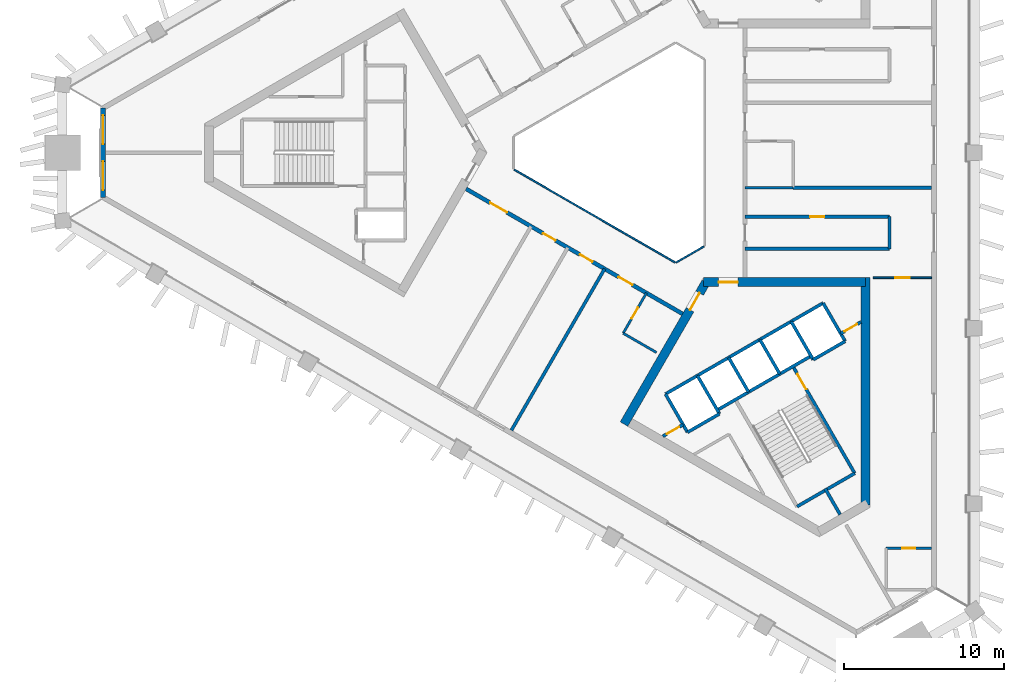
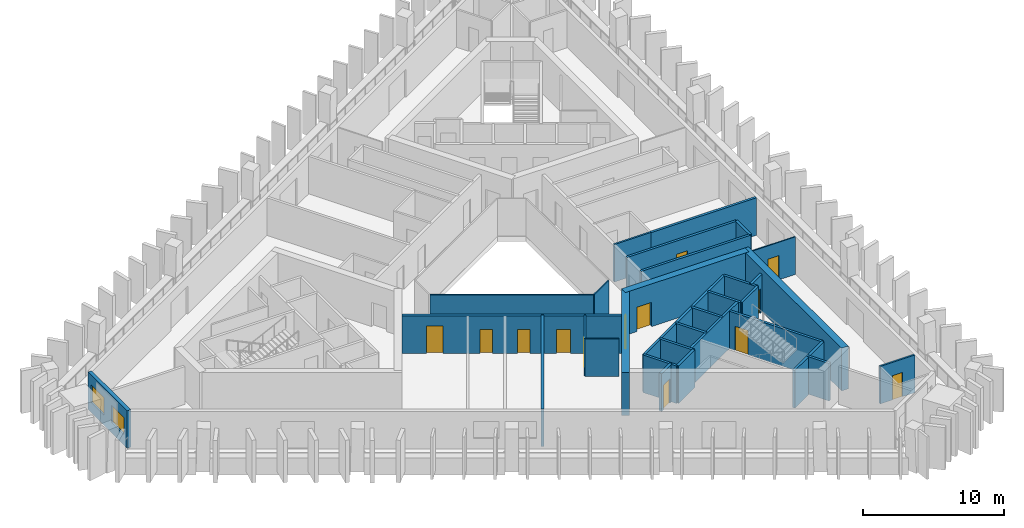
# One storey, part 3 of 10: 32 walls, 13 doors, 2 windows, 15 openings.
"""IFC4 building model written with IfcOpenShell, lengths in metres."""

import ifcopenshell
import ifcopenshell.guid

model = None  # the IFC model being written
_history = None  # IfcOwnerHistory: only IFC2X3 demands one
_inside = {}  # id of a spatial element -> (the spatial element, [elements in it])
_under = {}  # id of a project, library or spatial element -> (it, [spatial elements below it])
_declared = {}  # id of a project -> (the project, [libraries it declares])
_typed = {}  # id of a type object -> (the type object, [elements of that type])
_made_of = {}  # id of a material, layer set ... -> (it, [elements and type objects made of it])


def new_model(schema):
    """Start an empty IFC model of exactly this schema.

    Asked for "IFC4X3", IfcOpenShell would pick the latest addendum, in which some entities
    have other attributes; the version numbers below select the first issue.
    IFC2X3 requires an IfcOwnerHistory on every rooted entity: one is made here for all.
    """
    global model, _history
    if schema == "IFC4X3":
        model = ifcopenshell.file(schema_version=(4, 3, 0, 0))
    else:
        model = ifcopenshell.file(schema=schema)
    _inside.clear()
    _under.clear()
    _declared.clear()
    _typed.clear()
    _made_of.clear()
    _history = None
    if model.schema == "IFC2X3":
        org = make("IfcOrganization", Name="unknown")
        user = make(
            "IfcPersonAndOrganization",
            ThePerson=make("IfcPerson", FamilyName="unknown"),
            TheOrganization=org,
        )
        app = make(
            "IfcApplication",
            ApplicationDeveloper=org,
            Version="unknown",
            ApplicationFullName="unknown",
            ApplicationIdentifier="unknown",
        )
        _history = make(
            "IfcOwnerHistory",
            OwningUser=user,
            OwningApplication=app,
            ChangeAction="ADDED",
            CreationDate=0,
        )
    return model


def make(cls, **values):
    """One entity of the class cls with the attributes given. An attribute that is None is left unset."""
    return model.create_entity(
        cls, **{name: value for name, value in values.items() if value is not None}
    )


def rooted(cls, **values):
    """An entity with a GlobalId (a new one), such as an element, a storey or a relation."""
    return make(cls, GlobalId=ifcopenshell.guid.new(), OwnerHistory=_history, **values)


def si_unit(unit_type, name, prefix=None):
    """IfcSIUnit, for example si_unit("LENGTHUNIT", "METRE", prefix="MILLI")."""
    return make("IfcSIUnit", UnitType=unit_type, Prefix=prefix, Name=name)


def assignment(units):
    """IfcUnitAssignment: the units of a project."""
    return None if units is None else make("IfcUnitAssignment", Units=units)


def point(xyz):
    """IfcCartesianPoint."""
    return None if xyz is None else make("IfcCartesianPoint", Coordinates=xyz)


def direction(xyz):
    """IfcDirection."""
    return None if xyz is None else make("IfcDirection", DirectionRatios=xyz)


def frame(location, z_axis=None, x_axis=None):
    """IfcAxis2Placement3D, a coordinate frame: its origin and axes. An axis left out is left unset."""
    return make(
        "IfcAxis2Placement3D",
        Location=point(location),
        Axis=direction(z_axis),
        RefDirection=direction(x_axis),
    )


def frame_2d(location, x_axis=None):
    """IfcAxis2Placement2D, a coordinate frame in the plane: its origin and x axis."""
    return make(
        "IfcAxis2Placement2D", Location=point(location), RefDirection=direction(x_axis)
    )


def origin():
    """The frame at (0, 0, 0) with its axes left unset."""
    return frame((0.0, 0.0, 0.0))


def place(relative_to, where):
    """IfcLocalPlacement: puts the frame where relative to a parent placement (None: the world)."""
    return make(
        "IfcLocalPlacement", PlacementRelTo=relative_to, RelativePlacement=where
    )


def context(
    kind, dimensions, precision=None, world=None, true_north=None, identifier=None
):
    """IfcGeometricRepresentationContext, for example the 3D "Model" context."""
    return make(
        "IfcGeometricRepresentationContext",
        ContextIdentifier=identifier,
        ContextType=kind,
        CoordinateSpaceDimension=dimensions,
        Precision=precision,
        WorldCoordinateSystem=world,
        TrueNorth=true_north,
    )


def subcontext(parent, identifier, kind, view, scale=None):
    """IfcGeometricRepresentationSubContext, for example "Body" below "Model"."""
    return make(
        "IfcGeometricRepresentationSubContext",
        ContextIdentifier=identifier,
        ContextType=kind,
        ParentContext=parent,
        TargetScale=scale,
        TargetView=view,
    )


def project(units=None, contexts=None):
    """IfcProject with its units and contexts."""
    return rooted(
        "IfcProject",
        Name="project",
        RepresentationContexts=contexts,
        UnitsInContext=assignment(units),
    )


def spatial(cls, under=None, at=None, **own):
    """A site, building, storey or space (cls), placed at a placement, below another one or the project."""
    s = rooted(cls, ObjectPlacement=at, **own)
    if under is not None:
        _under.setdefault(under.id(), (under, []))[1].append(s)
    return s


def profile(cls, at=None, kind="AREA", **sizes):
    """A parametric profile (cls). Its sizes go by their IFC names, for example OverallWidth=200.0."""
    return make(cls, ProfileType=kind, Position=at, **sizes)


def rectangle(**sizes):
    """IfcRectangleProfileDef."""
    return profile("IfcRectangleProfileDef", **sizes)


def extrude(swept, where, along, depth):
    """IfcExtrudedAreaSolid: the profile swept, set in the frame where, extruded along a direction by depth."""
    return make(
        "IfcExtrudedAreaSolid",
        SweptArea=swept,
        Position=where,
        ExtrudedDirection=direction(along),
        Depth=depth,
    )


def shape(context_of_items, identifier, shape_type, items):
    """IfcShapeRepresentation: the items that make up one representation, for example the "Body"."""
    return make(
        "IfcShapeRepresentation",
        ContextOfItems=context_of_items,
        RepresentationIdentifier=identifier,
        RepresentationType=shape_type,
        Items=items,
    )


def material(Name=None, Category=None):
    """IfcMaterial."""
    return make("IfcMaterial", Name=Name, Category=Category)


def layer(
    of_material, thickness, ventilated=None, Name=None, Category=None, Priority=None
):
    """IfcMaterialLayer: one layer of a wall or slab, of a material (None: an air gap)."""
    return make(
        "IfcMaterialLayer",
        Material=of_material,
        LayerThickness=thickness,
        IsVentilated=ventilated,
        Name=Name,
        Category=Category,
        Priority=Priority,
    )


def layer_set(layers, Name=None):
    """IfcMaterialLayerSet."""
    return make("IfcMaterialLayerSet", MaterialLayers=layers, LayerSetName=Name)


def made_of(thing, what):
    """Note that an element or type object is made of a material, layer set ...; save() writes the relation."""
    if what is not None:
        _made_of.setdefault(what.id(), (what, []))[1].append(thing)
    return thing


def type_object(cls, material=None, **own):
    """A type object (cls), such as IfcWallType, which elements share."""
    return made_of(rooted(cls, **own), material)


def element(
    cls,
    number,
    at=None,
    inside=None,
    cuts=None,
    type_object=None,
    material=None,
    context=None,
    identifier="Body",
    shape_type=None,
    held_by="IfcProductDefinitionShape",
    body=None,
    shapes=None,
    **own,
):
    """One element of the class cls, such as IfcWall. Its Tag is "e" and its number.

    at: its placement. inside: the storey or other place that contains it. cuts: it is an
    opening in that element (IfcRelVoidsElement). A single representation is given by context,
    identifier, shape_type and body (its items); several are given by shapes. held_by: the class
    of the entity that holds the representations. save() writes the other relations.
    """
    e = rooted(cls, Tag="e%d" % number, ObjectPlacement=at, **own)
    if body is not None:
        shapes = [shape(context, identifier, shape_type, body)]
    if shapes is not None:
        e.Representation = make(held_by, Representations=shapes)
    if inside is not None:
        _inside.setdefault(inside.id(), (inside, []))[1].append(e)
    if cuts is not None:
        rooted(
            "IfcRelVoidsElement", RelatingBuildingElement=cuts, RelatedOpeningElement=e
        )
    if type_object is not None:
        _typed.setdefault(type_object.id(), (type_object, []))[1].append(e)
    return made_of(e, material)


def fill(opening, filler):
    """IfcRelFillsElement: the door or window that sits in an opening."""
    return rooted(
        "IfcRelFillsElement",
        RelatingOpeningElement=opening,
        RelatedBuildingElement=filler,
    )


def aggregate(whole, parts):
    """IfcRelAggregates: a whole, such as a stair, and the parts it consists of."""
    return rooted("IfcRelAggregates", RelatingObject=whole, RelatedObjects=parts)


def save(model, path):
    """Write the relations noted so far, then the file.

    IfcRelAggregates (storeys below a building ...), IfcRelContainedInSpatialStructure (elements
    in a storey), IfcRelDefinesByType, IfcRelAssociatesMaterial and IfcRelDeclares: one each for
    every whole, place, type object, material and project.
    """
    for whole, parts in _under.values():
        aggregate(whole, parts)
    for where, things in _inside.values():
        rooted(
            "IfcRelContainedInSpatialStructure",
            RelatedElements=things,
            RelatingStructure=where,
        )
    for kind, things in _typed.values():
        rooted("IfcRelDefinesByType", RelatedObjects=things, RelatingType=kind)
    for what, things in _made_of.values():
        rooted("IfcRelAssociatesMaterial", RelatedObjects=things, RelatingMaterial=what)
    for by, libraries in _declared.values():
        rooted("IfcRelDeclares", RelatingContext=by, RelatedDefinitions=libraries)
    model.write(path)


model = new_model("IFC4")

# Units and contexts
model_context = context("Model", 3, precision=1e-05, world=origin(), true_north=direction((0.0, 1.0)))
body_context = subcontext(model_context, "Body", "Model", "MODEL_VIEW")
ifc_project = project(units=[si_unit("LENGTHUNIT", "METRE"), si_unit("AREAUNIT", "SQUARE_METRE"), si_unit("VOLUMEUNIT", "CUBIC_METRE"), si_unit("PLANEANGLEUNIT", "RADIAN"), si_unit("MASSUNIT", "GRAM", prefix="KILO")], contexts=[model_context])

# Site, building, storey
site_placement = place(None, origin())
site = spatial("IfcSite", under=ifc_project, at=site_placement, CompositionType="ELEMENT")
building_placement = place(site_placement, origin())
building = spatial("IfcBuilding", under=site, at=building_placement, Name="Jabali Bay Hotel Tower and Convention Centre", CompositionType="ELEMENT")
storey_placement = place(building_placement, frame((0.0, 0.0, 160.0)))
storey = spatial("IfcBuildingStorey", under=building, at=storey_placement, Name="L38", CompositionType="ELEMENT", Elevation=160.0)

# Walls
ifc_material_1 = material(Name="Fire-resistant glazing", Category="glass")
ifc_layer_1 = layer(ifc_material_1, 0.10009765625)
ifc_layer_set_1 = layer_set([ifc_layer_1], Name="Fire-resistant glazing")
wall_type_1 = type_object("IfcWallType", Name="Atrium glazed screen 100", PredefinedType="PARTITIONING", material=ifc_layer_set_1)
wall_1_placement = place(storey_placement, frame((67.7021484375, 78.947998046875, 0.0), z_axis=(0.0, 0.0, 1.0), x_axis=(0.866026658274, -0.499997827154, 0.0)))
element("IfcWall", 1, at=wall_1_placement, inside=storey, type_object=wall_type_1, Name="Atrium screen 5 L38", PredefinedType="PARTITIONING", context=body_context, shape_type="SweptSolid", body=[
    extrude(rectangle(XDim=11.58837890625, YDim=0.10009765625, at=frame_2d((5.794189453125, 0.0))), origin(), (0.0, 0.0, 1.0), 3.25),
])
wall_2_placement = place(storey_placement, frame((77.7978515625, 73.15380859375, 0.0), z_axis=(0.0, 0.0, 1.0), x_axis=(0.866041268327, 0.499972520799, 0.0)))
element("IfcWall", 2, at=wall_2_placement, inside=storey, type_object=wall_type_1, Name="Atrium screen 6 L38", PredefinedType="PARTITIONING", context=body_context, shape_type="SweptSolid", body=[
    extrude(rectangle(XDim=2.0, YDim=0.10009765625, at=frame_2d((1.0, 0.0))), origin(), (0.0, 0.0, 1.0), 3.25),
])
ifc_material_2 = material(Name="Concrete C40", Category="concrete")
ifc_layer_2 = layer(ifc_material_2, 0.199951171875)
ifc_layer_set_2 = layer_set([ifc_layer_2], Name="Concrete C40")
wall_type_2 = type_object("IfcWallType", Name="Core partition wall 200", PredefinedType="PARTITIONING", material=ifc_layer_set_2)
wall_3_placement = place(storey_placement, frame((87.090087890625, 59.0595703125, 0.0), z_axis=(0.0, 0.0, 1.0), x_axis=(0.499951854219, -0.86605319898, 0.0)))
element("IfcWall", 3, at=wall_3_placement, inside=storey, type_object=wall_type_2, Name="Core wall 2.5 L38", PredefinedType="PARTITIONING", context=body_context, shape_type="SweptSolid", body=[
    extrude(rectangle(XDim=1.873291015625, YDim=0.199951171875, at=frame_2d((0.9365234375, 0.0))), origin(), (0.0, 0.0, 1.0), 3.25),
])

# Wall, opening, door
wall_4_placement = place(storey_placement, frame((76.969970703125, 62.315673828125, 0.0), z_axis=(0.0, 0.0, 1.0), x_axis=(0.865982457891, 0.500074377092, 0.0)))
wall_4 = element("IfcWall", 4, at=wall_4_placement, inside=storey, type_object=wall_type_2, Name="Core wall 2.11 L38", PredefinedType="PARTITIONING", context=body_context, shape_type="SweptSolid", body=[
    extrude(rectangle(XDim=1.461181640625, YDim=0.199951171875, at=frame_2d((0.73046875, 0.0))), origin(), (0.0, 0.0, 1.0), 3.25),
])
opening_1_placement = place(wall_4_placement, frame((0.280517578125, 0.0, 0.0)))
opening_1 = element("IfcOpeningElement", 5, at=opening_1_placement, cuts=wall_4, Name="Opening D842", PredefinedType="OPENING", context=body_context, shape_type="SweptSolid", body=[
    extrude(rectangle(XDim=0.89990234375, YDim=2.10009765625, at=frame_2d((0.449951171875, 1.050048828125))), frame((0.0, 0.1103515625, 0.0), z_axis=(0.0, -1.0, 0.0), x_axis=(1.0, 0.0, 0.0)), (0.0, 0.0, 1.0), 0.220947265625),
])
ifc_material_3 = material(Name="Fire-rated steel door", Category="steel")
door_type_1 = type_object("IfcDoorType", Name="Vestibule fire door 900 x 2100", OperationType="NOTDEFINED", PredefinedType="NOTDEFINED", material=ifc_material_3)
door_1_placement = place(opening_1_placement, origin())
door_1 = element("IfcDoor", 6, at=door_1_placement, inside=storey, type_object=door_type_1, Name="Vestibule fire door D842", OperationType="SINGLE_SWING_LEFT", OverallHeight=2.10009765625, OverallWidth=0.89990234375, PredefinedType="NOTDEFINED", context=body_context, shape_type="SweptSolid", body=[
    extrude(rectangle(XDim=0.89990234375, YDim=2.10009765625, at=frame_2d((0.449951171875, 1.050048828125))), frame((0.0, 0.02490234375, 0.0), z_axis=(0.0, -1.0, 0.0), x_axis=(1.0, 0.0, 0.0)), (0.0, 0.0, 1.0), 0.050048828125),
])
fill(opening_1, door_1)

wall_5_placement = place(storey_placement, frame((88.064697265625, 68.72119140625, 0.0), z_axis=(0.0, 0.0, 1.0), x_axis=(0.865982457891, 0.500074377092, 0.0)))
wall_5 = element("IfcWall", 7, at=wall_5_placement, inside=storey, type_object=wall_type_2, Name="Core wall 2.12 L38", PredefinedType="PARTITIONING", context=body_context, shape_type="SweptSolid", body=[
    extrude(rectangle(XDim=1.461181640625, YDim=0.199951171875, at=frame_2d((0.73046875, 0.0))), origin(), (0.0, 0.0, 1.0), 3.25),
])
opening_2_placement = place(wall_5_placement, frame((0.280517578125, 0.0, 0.0)))
opening_2 = element("IfcOpeningElement", 8, at=opening_2_placement, cuts=wall_5, Name="Opening D841", PredefinedType="OPENING", context=body_context, shape_type="SweptSolid", body=[
    extrude(rectangle(XDim=0.89990234375, YDim=2.10009765625, at=frame_2d((0.449951171875, 1.050048828125))), frame((0.0, 0.1103515625, 0.0), z_axis=(0.0, -1.0, 0.0), x_axis=(1.0, 0.0, 0.0)), (0.0, 0.0, 1.0), 0.220947265625),
])
door_2_placement = place(opening_2_placement, origin())
door_2 = element("IfcDoor", 9, at=door_2_placement, inside=storey, type_object=door_type_1, Name="Vestibule fire door D841", OperationType="SINGLE_SWING_LEFT", OverallHeight=2.10009765625, OverallWidth=0.89990234375, PredefinedType="NOTDEFINED", context=body_context, shape_type="SweptSolid", body=[
    extrude(rectangle(XDim=0.89990234375, YDim=2.10009765625, at=frame_2d((0.449951171875, 1.050048828125))), frame((0.0, 0.02490234375, 0.0), z_axis=(0.0, -1.0, 0.0), x_axis=(1.0, 0.0, 0.0)), (0.0, 0.0, 1.0), 0.050048828125),
])
fill(opening_2, door_2)

# Walls
ifc_layer_3 = layer(ifc_material_2, 0.199951171875)
ifc_layer_set_3 = layer_set([ifc_layer_3], Name="Concrete C40")
wall_type_3 = type_object("IfcWallType", Name="Core stair wall 200", PredefinedType="SOLIDWALL", material=ifc_layer_set_3)
for number, where, z_axis, x_axis, name in (
    (10, (77.13525390625, 64.95166015625, 0.0), (0.0, 0.0, 1.0), (0.499996545922, -0.866027397988, 0.0), "Core wall 2.0 L38"),
    (11, (79.127197265625, 66.1015625, 0.0), (0.0, 0.0, 1.0), (0.499996545922, -0.866027397988, 0.0), "Core wall 2.2 L38"),
):
    element("IfcWall", number, at=place(storey_placement, frame(where, z_axis=z_axis, x_axis=x_axis)), inside=storey, type_object=wall_type_3, Name=name, PredefinedType="SOLIDWALL", context=body_context, shape_type="SweptSolid", body=[
        extrude(rectangle(XDim=2.75, YDim=0.199951171875, at=frame_2d((1.375, 0.0))), origin(), (0.0, 0.0, 1.0), 3.25),
    ])
for number, where, z_axis, x_axis, name in (
    (12, (81.07568359375, 67.2265625, 0.0), (0.0, 0.0, 1.0), (0.50000366821, -0.866023285932, 0.0), "Core wall 2.4 L38"),
    (13, (83.024169921875, 68.3515625, 0.0), (0.0, 0.0, 1.0), (0.50000366821, -0.866023285932, 0.0), "Core wall 2.6 L38"),
):
    element("IfcWall", number, at=place(storey_placement, frame(where, z_axis=z_axis, x_axis=x_axis)), inside=storey, type_object=wall_type_3, Name=name, PredefinedType="SOLIDWALL", context=body_context, shape_type="SweptSolid", body=[
        extrude(rectangle(XDim=2.47998046875, YDim=0.199951171875, at=frame_2d((1.239990234375, 0.0))), origin(), (0.0, 0.0, 1.0), 3.25),
    ])

# Wall, opening, door
wall_6_placement = place(storey_placement, frame((85.0869140625, 66.6787109375, 0.0), z_axis=(0.0, 0.0, 1.0), x_axis=(0.500019787375, -0.866013979237, 0.0)))
wall_6 = element("IfcWall", 14, at=wall_6_placement, inside=storey, type_object=wall_type_3, Name="Core wall 2.7 L38", PredefinedType="SOLIDWALL", context=body_context, shape_type="SweptSolid", body=[
    extrude(rectangle(XDim=7.699951171875, YDim=0.199951171875, at=frame_2d((3.85009765625, 0.0))), origin(), (0.0, 0.0, 1.0), 3.25),
])
opening_3_placement = place(wall_6_placement, frame((0.550048828125, 0.0, 0.0)))
opening_3 = element("IfcOpeningElement", 15, at=opening_3_placement, cuts=wall_6, Name="Opening D843", PredefinedType="OPENING", context=body_context, shape_type="SweptSolid", body=[
    extrude(rectangle(XDim=1.10009765625, YDim=2.10009765625, at=frame_2d((0.550048828125, 1.050048828125))), frame((0.0, 0.1103515625, 0.0), z_axis=(0.0, -1.0, 0.0), x_axis=(1.0, 0.0, 0.0)), (0.0, 0.0, 1.0), 0.220947265625),
])
door_type_2 = type_object("IfcDoorType", Name="Stair fire door 1100 x 2100", OperationType="NOTDEFINED", PredefinedType="NOTDEFINED", material=ifc_material_3)
door_3_placement = place(opening_3_placement, origin())
door_3 = element("IfcDoor", 16, at=door_3_placement, inside=storey, type_object=door_type_2, Name="Stair fire door D843", OperationType="SINGLE_SWING_RIGHT", OverallHeight=2.10009765625, OverallWidth=1.10009765625, PredefinedType="NOTDEFINED", context=body_context, shape_type="SweptSolid", body=[
    extrude(rectangle(XDim=1.10009765625, YDim=2.10009765625, at=frame_2d((0.550048828125, 1.050048828125))), frame((0.0, 0.02490234375, 0.0), z_axis=(0.0, -1.0, 0.0), x_axis=(1.0, 0.0, 0.0)), (0.0, 0.0, 1.0), 0.050048828125),
])
fill(opening_3, door_3)

# Walls
for number, where, z_axis, x_axis, name in (
    (17, (84.972900390625, 69.4765625, 0.0), (0.0, 0.0, 1.0), (0.499996545922, -0.866027397988, 0.0), "Core wall 2.8 L38"),
    (18, (86.964599609375, 70.62646484375, 0.0), (0.0, 0.0, 1.0), (0.499996545922, -0.866027397988, 0.0), "Core wall 2.9 L38"),
):
    element("IfcWall", number, at=place(storey_placement, frame(where, z_axis=z_axis, x_axis=x_axis)), inside=storey, type_object=wall_type_3, Name=name, PredefinedType="SOLIDWALL", context=body_context, shape_type="SweptSolid", body=[
        extrude(rectangle(XDim=2.75, YDim=0.199951171875, at=frame_2d((1.375, 0.0))), origin(), (0.0, 0.0, 1.0), 3.25),
    ])
wall_7_placement = place(storey_placement, frame((77.13525390625, 64.95166015625, 0.0), z_axis=(0.0, 0.0, 1.0), x_axis=(0.866031916153, 0.499988720078, 0.0)))
element("IfcWall", 19, at=wall_7_placement, inside=storey, type_object=wall_type_3, Name="Core wall 2.10 L38", PredefinedType="SOLIDWALL", context=body_context, shape_type="SweptSolid", body=[
    extrude(rectangle(XDim=11.349853515625, YDim=0.199951171875, at=frame_2d((5.6748046875, 0.0))), origin(), (0.0, 0.0, 1.0), 3.25),
])
wall_8_placement = place(storey_placement, frame((80.3671875, 63.953857421875, 0.0), z_axis=(0.0, 0.0, 1.0), x_axis=(0.866026575979, 0.499997969693, 0.0)))
element("IfcWall", 20, at=wall_8_placement, inside=storey, type_object=wall_type_3, Name="Core wall 2.13 L38", PredefinedType="SOLIDWALL", context=body_context, shape_type="SweptSolid", body=[
    extrude(rectangle(XDim=6.75, YDim=0.199951171875, at=frame_2d((3.375, 0.0))), origin(), (0.0, 0.0, 1.0), 3.25),
])
wall_9_placement = place(storey_placement, frame((78.51025390625, 62.570068359375, 0.0), z_axis=(0.0, 0.0, 1.0), x_axis=(0.866053019151, 0.499952165731, 0.0)))
element("IfcWall", 21, at=wall_9_placement, inside=storey, type_object=wall_type_3, Name="Core wall 2.14 L38", PredefinedType="SOLIDWALL", context=body_context, shape_type="SweptSolid", body=[
    extrude(rectangle(XDim=2.300048828125, YDim=0.199951171875, at=frame_2d((1.14990234375, 0.0))), origin(), (0.0, 0.0, 1.0), 3.25),
])
wall_10_placement = place(storey_placement, frame((86.347900390625, 67.094970703125, 0.0), z_axis=(0.0, 0.0, 1.0), x_axis=(0.86602648383, 0.499998129301, 0.0)))
element("IfcWall", 22, at=wall_10_placement, inside=storey, type_object=wall_type_3, Name="Core wall 2.15 L38", PredefinedType="SOLIDWALL", context=body_context, shape_type="SweptSolid", body=[
    extrude(rectangle(XDim=2.2998046875, YDim=0.199951171875, at=frame_2d((1.14990234375, 0.0))), origin(), (0.0, 0.0, 1.0), 3.25),
])
wall_11_placement = place(storey_placement, frame((85.343017578125, 57.935302734375, 0.0), z_axis=(0.0, 0.0, 1.0), x_axis=(0.866004344652, 0.500036473714, 0.0)))
element("IfcWall", 23, at=wall_11_placement, inside=storey, type_object=wall_type_3, Name="Core wall 2.17 L38", PredefinedType="SOLIDWALL", context=body_context, shape_type="SweptSolid", body=[
    extrude(rectangle(XDim=4.150146484375, YDim=0.199951171875, at=frame_2d((2.0751953125, 0.0))), origin(), (0.0, 0.0, 1.0), 3.25),
])

# Wall, opening, door
ifc_material_4 = material(Name="Concrete C60", Category="concrete")
ifc_layer_4 = layer(ifc_material_4, 0.550048828125)
ifc_layer_set_4 = layer_set([ifc_layer_4], Name="Concrete C60")
wall_type_4 = type_object("IfcWallType", Name="Core wall 550", PredefinedType="SHEAR", material=ifc_layer_set_4)
wall_12_placement = place(storey_placement, frame((79.65869140625, 71.9306640625, 0.0), z_axis=(0.0, 0.0, 1.0), x_axis=(-0.500000202252, -0.866025287014, 0.0)))
wall_12 = element("IfcWall", 24, at=wall_12_placement, inside=storey, type_object=wall_type_4, Name="Core wall 3.1 L38", PredefinedType="SHEAR", context=body_context, shape_type="SweptSolid", body=[
    extrude(rectangle(XDim=10.22119140625, YDim=0.550048828125, at=frame_2d((5.110595703125, 0.0))), origin(), (0.0, 0.0, 1.0), 3.699951171875),
])
opening_4_placement = place(wall_12_placement, frame((0.791259765625, 0.0, 0.0)))
opening_4 = element("IfcOpeningElement", 25, at=opening_4_placement, cuts=wall_12, Name="Opening D839", PredefinedType="OPENING", context=body_context, shape_type="SweptSolid", body=[
    extrude(rectangle(XDim=1.199951171875, YDim=2.10009765625, at=frame_2d((0.60009765625, 1.050048828125))), frame((0.0, 0.28564453125, 0.0), z_axis=(0.0, -1.0, 0.0), x_axis=(1.0, 0.0, 0.0)), (0.0, 0.0, 1.0), 0.571044921875),
])
door_type_3 = type_object("IfcDoorType", Name="Corridor end fire door 1200 x 2100", OperationType="NOTDEFINED", PredefinedType="NOTDEFINED", material=ifc_material_3)
door_4_placement = place(opening_4_placement, origin())
door_4 = element("IfcDoor", 26, at=door_4_placement, inside=storey, type_object=door_type_3, Name="Corridor end fire door D839", OperationType="SINGLE_SWING_RIGHT", OverallHeight=2.10009765625, OverallWidth=1.199951171875, PredefinedType="NOTDEFINED", context=body_context, shape_type="SweptSolid", body=[
    extrude(rectangle(XDim=1.199951171875, YDim=2.10009765625, at=frame_2d((0.60009765625, 1.050048828125))), frame((0.0, 0.02490234375, 0.0), z_axis=(0.0, -1.0, 0.0), x_axis=(1.0, 0.0, 0.0)), (0.0, 0.0, 1.0), 0.050048828125),
])
fill(opening_4, door_4)

# Wall
wall_13_placement = place(storey_placement, frame((89.60498046875, 58.03125, 0.0), z_axis=(0.0, 0.0, 1.0), x_axis=(0.0, 1.0, 0.0)))
element("IfcWall", 27, at=wall_13_placement, inside=storey, type_object=wall_type_4, Name="Core wall 3.4 L38", PredefinedType="SHEAR", context=body_context, shape_type="SweptSolid", body=[
    extrude(rectangle(XDim=14.174560546875, YDim=0.550048828125, at=frame_2d((7.08740234375, 0.0))), origin(), (0.0, 0.0, 1.0), 3.699951171875),
])

# Wall, opening, door
wall_14_placement = place(storey_placement, frame((89.60498046875, 71.9306640625, 0.0), z_axis=(0.0, 0.0, 1.0), x_axis=(-1.0, 0.0, 0.0)))
wall_14 = element("IfcWall", 28, at=wall_14_placement, inside=storey, type_object=wall_type_4, Name="Core wall 3.5 L38", PredefinedType="SHEAR", context=body_context, shape_type="SweptSolid", body=[
    extrude(rectangle(XDim=10.10498046875, YDim=0.550048828125, at=frame_2d((5.052490234375, 0.0))), origin(), (0.0, 0.0, 1.0), 3.699951171875),
])
opening_5_placement = place(wall_14_placement, frame((7.955078125, 0.0, 0.0)))
opening_5 = element("IfcOpeningElement", 29, at=opening_5_placement, cuts=wall_14, Name="Opening D840", PredefinedType="OPENING", context=body_context, shape_type="SweptSolid", body=[
    extrude(rectangle(XDim=1.199951171875, YDim=2.10009765625, at=frame_2d((0.60009765625, 1.050048828125))), frame((0.0, 0.28564453125, 0.0), z_axis=(0.0, -1.0, 0.0), x_axis=(1.0, 0.0, 0.0)), (0.0, 0.0, 1.0), 0.571044921875),
])
door_5_placement = place(opening_5_placement, origin())
door_5 = element("IfcDoor", 30, at=door_5_placement, inside=storey, type_object=door_type_3, Name="Corridor end fire door D840", OperationType="SINGLE_SWING_LEFT", OverallHeight=2.10009765625, OverallWidth=1.199951171875, PredefinedType="NOTDEFINED", context=body_context, shape_type="SweptSolid", body=[
    extrude(rectangle(XDim=1.199951171875, YDim=2.10009765625, at=frame_2d((0.60009765625, 1.050048828125))), frame((0.0, 0.02490234375, 0.0), z_axis=(0.0, -1.0, 0.0), x_axis=(1.0, 0.0, 0.0)), (0.0, 0.0, 1.0), 0.050048828125),
])
fill(opening_5, door_5)

# Wall, openings, doors
ifc_layer_5 = layer(ifc_material_4, 0.25)
ifc_layer_set_5 = layer_set([ifc_layer_5], Name="Concrete C60")
wall_type_5 = type_object("IfcWallType", Name="Corridor wall 250", PredefinedType="SHEAR", material=ifc_layer_set_5)
wall_15_placement = place(storey_placement, frame((64.699951171875, 77.748291015625, 0.0), z_axis=(0.0, 0.0, 1.0), x_axis=(0.866026492143, -0.499998114903, 0.0)))
wall_15 = element("IfcWall", 31, at=wall_15_placement, inside=storey, type_object=wall_type_5, Name="Corridor wall 3 L38", PredefinedType="SHEAR", context=body_context, shape_type="SweptSolid", body=[
    extrude(rectangle(XDim=15.58837890625, YDim=0.25, at=frame_2d((7.794189453125, 0.0))), origin(), (0.0, 0.0, 1.0), 3.25),
])
opening_6_placement = place(wall_15_placement, frame((1.73828125, 0.0, 0.0)))
opening_6 = element("IfcOpeningElement", 32, at=opening_6_placement, cuts=wall_15, Name="Opening 3819", PredefinedType="OPENING", context=body_context, shape_type="SweptSolid", body=[
    extrude(rectangle(XDim=1.199951171875, YDim=2.39990234375, at=frame_2d((0.60009765625, 1.199951171875))), frame((0.0, 0.135498046875, 0.0), z_axis=(0.0, -1.0, 0.0), x_axis=(1.0, 0.0, 0.0)), (0.0, 0.0, 1.0), 0.27099609375),
])
opening_7_placement = place(wall_15_placement, frame((5.551513671875, 0.0, 0.0)))
opening_7 = element("IfcOpeningElement", 33, at=opening_7_placement, cuts=wall_15, Name="Opening 3820", PredefinedType="OPENING", context=body_context, shape_type="SweptSolid", body=[
    extrude(rectangle(XDim=0.89990234375, YDim=2.10009765625, at=frame_2d((0.449951171875, 1.050048828125))), frame((0.0, 0.135498046875, 0.0), z_axis=(0.0, -1.0, 0.0), x_axis=(1.0, 0.0, 0.0)), (0.0, 0.0, 1.0), 0.27099609375),
])
opening_8_placement = place(wall_15_placement, frame((8.20166015625, 0.0, 0.0)))
opening_8 = element("IfcOpeningElement", 34, at=opening_8_placement, cuts=wall_15, Name="Opening 3821", PredefinedType="OPENING", context=body_context, shape_type="SweptSolid", body=[
    extrude(rectangle(XDim=0.89990234375, YDim=2.10009765625, at=frame_2d((0.449951171875, 1.050048828125))), frame((0.0, 0.135498046875, 0.0), z_axis=(0.0, -1.0, 0.0), x_axis=(1.0, 0.0, 0.0)), (0.0, 0.0, 1.0), 0.27099609375),
])
opening_9_placement = place(wall_15_placement, frame((10.982421875, 0.0, 0.0)))
opening_9 = element("IfcOpeningElement", 35, at=opening_9_placement, cuts=wall_15, Name="Opening 3823", PredefinedType="OPENING", context=body_context, shape_type="SweptSolid", body=[
    extrude(rectangle(XDim=1.0, YDim=2.10009765625, at=frame_2d((0.5, 1.050048828125))), frame((0.0, 0.135498046875, 0.0), z_axis=(0.0, -1.0, 0.0), x_axis=(1.0, 0.0, 0.0)), (0.0, 0.0, 1.0), 0.27099609375),
])
ifc_material_5 = material(Name="Timber", Category="wood")
door_type_4 = type_object("IfcDoorType", Name="Guest room door 1000 x 2100", OperationType="NOTDEFINED", PredefinedType="NOTDEFINED", material=ifc_material_5)
door_6_placement = place(opening_9_placement, origin())
door_6 = element("IfcDoor", 36, at=door_6_placement, inside=storey, type_object=door_type_4, Name="Door 3823", OperationType="SINGLE_SWING_RIGHT", OverallHeight=2.10009765625, OverallWidth=1.0, PredefinedType="NOTDEFINED", context=body_context, shape_type="SweptSolid", body=[
    extrude(rectangle(XDim=1.0, YDim=2.10009765625, at=frame_2d((0.5, 1.050048828125))), frame((0.0, 0.02490234375, 0.0), z_axis=(0.0, -1.0, 0.0), x_axis=(1.0, 0.0, 0.0)), (0.0, 0.0, 1.0), 0.050048828125),
])
fill(opening_9, door_6)
door_type_5 = type_object("IfcDoorType", Name="Internal door 900 x 2100", OperationType="NOTDEFINED", PredefinedType="NOTDEFINED", material=ifc_material_5)
door_7_placement = place(opening_7_placement, origin())
door_7 = element("IfcDoor", 37, at=door_7_placement, inside=storey, type_object=door_type_5, Name="Door 3820", OperationType="SINGLE_SWING_LEFT", OverallHeight=2.10009765625, OverallWidth=0.89990234375, PredefinedType="NOTDEFINED", context=body_context, shape_type="SweptSolid", body=[
    extrude(rectangle(XDim=0.89990234375, YDim=2.10009765625, at=frame_2d((0.449951171875, 1.050048828125))), frame((0.0, 0.02490234375, 0.0), z_axis=(0.0, -1.0, 0.0), x_axis=(1.0, 0.0, 0.0)), (0.0, 0.0, 1.0), 0.050048828125),
])
fill(opening_7, door_7)
door_8_placement = place(opening_8_placement, origin())
door_8 = element("IfcDoor", 38, at=door_8_placement, inside=storey, type_object=door_type_5, Name="Door 3821", OperationType="SINGLE_SWING_RIGHT", OverallHeight=2.10009765625, OverallWidth=0.89990234375, PredefinedType="NOTDEFINED", context=body_context, shape_type="SweptSolid", body=[
    extrude(rectangle(XDim=0.89990234375, YDim=2.10009765625, at=frame_2d((0.449951171875, 1.050048828125))), frame((0.0, 0.02490234375, 0.0), z_axis=(0.0, -1.0, 0.0), x_axis=(1.0, 0.0, 0.0)), (0.0, 0.0, 1.0), 0.050048828125),
])
fill(opening_8, door_8)
door_type_6 = type_object("IfcDoorType", Name="Public room door 1200 x 2400", OperationType="NOTDEFINED", PredefinedType="NOTDEFINED", material=ifc_material_5)
door_9_placement = place(opening_6_placement, origin())
door_9 = element("IfcDoor", 39, at=door_9_placement, inside=storey, type_object=door_type_6, Name="Door 3819", OperationType="SINGLE_SWING_LEFT", OverallHeight=2.39990234375, OverallWidth=1.199951171875, PredefinedType="NOTDEFINED", context=body_context, shape_type="SweptSolid", body=[
    extrude(rectangle(XDim=1.199951171875, YDim=2.39990234375, at=frame_2d((0.60009765625, 1.199951171875))), frame((0.0, 0.02490234375, 0.0), z_axis=(0.0, -1.0, 0.0), x_axis=(1.0, 0.0, 0.0)), (0.0, 0.0, 1.0), 0.050048828125),
])
fill(opening_6, door_9)

# Wall, openings, windows
ifc_layer_6 = layer(ifc_material_2, 0.300048828125)
ifc_layer_set_6 = layer_set([ifc_layer_6], Name="Concrete C40")
wall_type_6 = type_object("IfcWallType", Name="External wall 300", PredefinedType="SOLIDWALL", material=ifc_layer_set_6)
wall_16_placement = place(storey_placement, frame((42.05859375, 77.22314453125, 0.0), z_axis=(0.0, 0.0, 1.0), x_axis=(0.0, 1.0, 0.0)))
wall_16 = element("IfcWall", 40, at=wall_16_placement, inside=storey, type_object=wall_type_6, Name="External wall west chamfer L38", PredefinedType="SOLIDWALL", context=body_context, shape_type="SweptSolid", body=[
    extrude(rectangle(XDim=5.5537109375, YDim=0.300048828125, at=frame_2d((2.77685546875, 0.0))), origin(), (0.0, 0.0, 1.0), 3.25),
])
opening_10_placement = place(wall_16_placement, frame((0.445556640625, 0.0, 0.89990234375)))
opening_10 = element("IfcOpeningElement", 41, at=opening_10_placement, cuts=wall_16, Name="Opening W1", PredefinedType="OPENING", context=body_context, shape_type="SweptSolid", body=[
    extrude(rectangle(XDim=1.800048828125, YDim=1.5, at=frame_2d((0.89990234375, 0.75))), frame((0.0, 0.16064453125, 0.0), z_axis=(0.0, -1.0, 0.0), x_axis=(1.0, 0.0, 0.0)), (0.0, 0.0, 1.0), 0.321044921875),
])
opening_11_placement = place(wall_16_placement, frame((3.307861328125, 0.0, 0.89990234375)))
opening_11 = element("IfcOpeningElement", 42, at=opening_11_placement, cuts=wall_16, Name="Opening W1", PredefinedType="OPENING", context=body_context, shape_type="SweptSolid", body=[
    extrude(rectangle(XDim=1.800048828125, YDim=1.5, at=frame_2d((0.89990234375, 0.75))), frame((0.0, 0.16064453125, 0.0), z_axis=(0.0, -1.0, 0.0), x_axis=(1.0, 0.0, 0.0)), (0.0, 0.0, 1.0), 0.321044921875),
])
ifc_material_6 = material(Name="Glass", Category="glass")
window_type = type_object("IfcWindowType", Name="Window 1800 x 1500", PartitioningType="SINGLE_PANEL", PredefinedType="WINDOW", material=ifc_material_6)
window_1_placement = place(opening_10_placement, origin())
window_1 = element("IfcWindow", 43, at=window_1_placement, inside=storey, type_object=window_type, Name="Window 3810", OverallHeight=1.5, OverallWidth=1.800048828125, PartitioningType="SINGLE_PANEL", PredefinedType="WINDOW", context=body_context, shape_type="SweptSolid", body=[
    extrude(rectangle(XDim=1.800048828125, YDim=1.5, at=frame_2d((0.89990234375, 0.75))), frame((0.0, 0.030029296875, 0.0), z_axis=(0.0, -1.0, 0.0), x_axis=(1.0, 0.0, 0.0)), (0.0, 0.0, 1.0), 0.06005859375),
])
fill(opening_10, window_1)
window_2_placement = place(opening_11_placement, origin())
window_2 = element("IfcWindow", 44, at=window_2_placement, inside=storey, type_object=window_type, Name="Window 3809", OverallHeight=1.5, OverallWidth=1.800048828125, PartitioningType="SINGLE_PANEL", PredefinedType="WINDOW", context=body_context, shape_type="SweptSolid", body=[
    extrude(rectangle(XDim=1.800048828125, YDim=1.5, at=frame_2d((0.89990234375, 0.75))), frame((0.0, 0.030029296875, 0.0), z_axis=(0.0, -1.0, 0.0), x_axis=(1.0, 0.0, 0.0)), (0.0, 0.0, 1.0), 0.06005859375),
])
fill(opening_11, window_2)

# Wall, opening, door
ifc_material_7 = material(Name="Plasterboard on steel stud", Category="steel")
ifc_layer_7 = layer(ifc_material_7, 0.10009765625)
ifc_layer_set_7 = layer_set([ifc_layer_7], Name="Plasterboard on steel stud")
wall_type_7 = type_object("IfcWallType", Name="Partition 100 unit", PredefinedType="PARTITIONING", material=ifc_layer_set_7)
wall_17_placement = place(storey_placement, frame((90.0791015625, 72.205810546875, 0.0), z_axis=(0.0, 0.0, 1.0), x_axis=(1.0, 0.0, 0.0)))
wall_17 = element("IfcWall", 45, at=wall_17_placement, inside=storey, type_object=wall_type_7, Name="Partition P02 L38 001", PredefinedType="PARTITIONING", context=body_context, shape_type="SweptSolid", body=[
    extrude(rectangle(XDim=3.647216796875, YDim=0.10009765625, at=frame_2d((1.82373046875, 0.0))), origin(), (0.0, 0.0, 1.0), 3.25),
])
opening_12_placement = place(wall_17_placement, frame((1.3740234375, 0.0, 0.0)))
opening_12 = element("IfcOpeningElement", 46, at=opening_12_placement, cuts=wall_17, Name="Opening 3802", PredefinedType="OPENING", context=body_context, shape_type="SweptSolid", body=[
    extrude(rectangle(XDim=0.89990234375, YDim=2.10009765625, at=frame_2d((0.449951171875, 1.050048828125))), frame((0.0, 0.060546875, 0.0), z_axis=(0.0, -1.0, 0.0), x_axis=(1.0, 0.0, 0.0)), (0.0, 0.0, 1.0), 0.12109375),
])
door_10_placement = place(opening_12_placement, origin())
door_10 = element("IfcDoor", 47, at=door_10_placement, inside=storey, type_object=door_type_5, Name="Door 3802", OperationType="SINGLE_SWING_RIGHT", OverallHeight=2.10009765625, OverallWidth=0.89990234375, PredefinedType="NOTDEFINED", context=body_context, shape_type="SweptSolid", body=[
    extrude(rectangle(XDim=0.89990234375, YDim=2.10009765625, at=frame_2d((0.449951171875, 1.050048828125))), frame((0.0, 0.02490234375, 0.0), z_axis=(0.0, -1.0, 0.0), x_axis=(1.0, 0.0, 0.0)), (0.0, 0.0, 1.0), 0.050048828125),
])
fill(opening_12, door_10)

# Wall
ifc_layer_8 = layer(ifc_material_7, 0.14990234375)
ifc_layer_set_8 = layer_set([ifc_layer_8], Name="Plasterboard on steel stud")
wall_type_8 = type_object("IfcWallType", Name="Partition 150 wet", PredefinedType="PARTITIONING", material=ifc_layer_set_8)
wall_18_placement = place(storey_placement, frame((85.10009765625, 77.817626953125, 0.0), z_axis=(0.0, 0.0, 1.0), x_axis=(-1.0, 0.0, 0.0)))
element("IfcWall", 48, at=wall_18_placement, inside=storey, type_object=wall_type_8, Name="Partition P03 L38 006", PredefinedType="PARTITIONING", context=body_context, shape_type="SweptSolid", body=[
    extrude(rectangle(XDim=3.0, YDim=0.14990234375, at=frame_2d((1.5, 0.0))), origin(), (0.0, 0.0, 1.0), 3.25),
])

# Wall, opening, door
wall_19_placement = place(storey_placement, frame((90.901611328125, 55.342041015625, 0.0), z_axis=(0.0, 0.0, 1.0), x_axis=(1.0, 0.0, 0.0)))
wall_19 = element("IfcWall", 49, at=wall_19_placement, inside=storey, type_object=wall_type_8, Name="Partition P03 L38 009", PredefinedType="PARTITIONING", context=body_context, shape_type="SweptSolid", body=[
    extrude(rectangle(XDim=2.82470703125, YDim=0.14990234375, at=frame_2d((1.412353515625, 0.0))), origin(), (0.0, 0.0, 1.0), 3.25),
])
opening_13_placement = place(wall_19_placement, frame((1.011962890625, 0.0, 0.0)))
opening_13 = element("IfcOpeningElement", 50, at=opening_13_placement, cuts=wall_19, Name="Opening 3803", PredefinedType="OPENING", context=body_context, shape_type="SweptSolid", body=[
    extrude(rectangle(XDim=0.800048828125, YDim=2.10009765625, at=frame_2d((0.39990234375, 1.050048828125))), frame((0.0, 0.08544921875, 0.0), z_axis=(0.0, -1.0, 0.0), x_axis=(1.0, 0.0, 0.0)), (0.0, 0.0, 1.0), 0.1708984375),
])
door_type_7 = type_object("IfcDoorType", Name="En-suite door 800 x 2100", OperationType="NOTDEFINED", PredefinedType="NOTDEFINED", material=ifc_material_5)
door_11_placement = place(opening_13_placement, origin())
door_11 = element("IfcDoor", 51, at=door_11_placement, inside=storey, type_object=door_type_7, Name="Door 3803", OperationType="SINGLE_SWING_RIGHT", OverallHeight=2.10009765625, OverallWidth=0.800048828125, PredefinedType="NOTDEFINED", context=body_context, shape_type="SweptSolid", body=[
    extrude(rectangle(XDim=0.800048828125, YDim=2.10009765625, at=frame_2d((0.39990234375, 1.050048828125))), frame((0.0, 0.02490234375, 0.0), z_axis=(0.0, -1.0, 0.0), x_axis=(1.0, 0.0, 0.0)), (0.0, 0.0, 1.0), 0.050048828125),
])
fill(opening_13, door_11)

# Wall
wall_20_placement = place(storey_placement, frame((76.57763671875, 67.542236328125, 0.0), z_axis=(0.0, 0.0, 1.0), x_axis=(-0.866038271014, 0.499977712642, 0.0)))
element("IfcWall", 52, at=wall_20_placement, inside=storey, type_object=wall_type_8, Name="Partition P03 L38 040", PredefinedType="PARTITIONING", context=body_context, shape_type="SweptSolid", body=[
    extrude(rectangle(XDim=2.40087890625, YDim=0.14990234375, at=frame_2d((1.200439453125, 0.0))), origin(), (0.0, 0.0, 1.0), 3.25),
])

# Wall, opening, door
wall_21_placement = place(storey_placement, frame((74.498291015625, 68.74267578125, 0.0), z_axis=(0.0, 0.0, 1.0), x_axis=(0.499987231761, 0.866032775405, 0.0)))
wall_21 = element("IfcWall", 53, at=wall_21_placement, inside=storey, type_object=wall_type_8, Name="Partition P03 L38 041", PredefinedType="PARTITIONING", context=body_context, shape_type="SweptSolid", body=[
    extrude(rectangle(XDim=2.89990234375, YDim=0.14990234375, at=frame_2d((1.449951171875, 0.0))), origin(), (0.0, 0.0, 1.0), 3.25),
])
opening_14_placement = place(wall_21_placement, frame((1.050048828125, 0.0, 0.0)))
opening_14 = element("IfcOpeningElement", 54, at=opening_14_placement, cuts=wall_21, Name="Opening 3822", PredefinedType="OPENING", context=body_context, shape_type="SweptSolid", body=[
    extrude(rectangle(XDim=0.800048828125, YDim=2.10009765625, at=frame_2d((0.39990234375, 1.050048828125))), frame((0.0, 0.08544921875, 0.0), z_axis=(0.0, -1.0, 0.0), x_axis=(1.0, 0.0, 0.0)), (0.0, 0.0, 1.0), 0.1708984375),
])
door_12_placement = place(opening_14_placement, origin())
door_12 = element("IfcDoor", 55, at=door_12_placement, inside=storey, type_object=door_type_7, Name="Door 3822", OperationType="SINGLE_SWING_RIGHT", OverallHeight=2.10009765625, OverallWidth=0.800048828125, PredefinedType="NOTDEFINED", context=body_context, shape_type="SweptSolid", body=[
    extrude(rectangle(XDim=0.800048828125, YDim=2.10009765625, at=frame_2d((0.39990234375, 1.050048828125))), frame((0.0, 0.02490234375, 0.0), z_axis=(0.0, -1.0, 0.0), x_axis=(1.0, 0.0, 0.0)), (0.0, 0.0, 1.0), 0.050048828125),
])
fill(opening_14, door_12)

ifc_layer_9 = layer(ifc_material_7, 0.199951171875)
ifc_layer_set_9 = layer_set([ifc_layer_9], Name="Plasterboard on steel stud")
wall_type_9 = type_object("IfcWallType", Name="Partition 200 party", PredefinedType="PARTITIONING", material=ifc_layer_set_9)
wall_22_placement = place(storey_placement, frame((82.10009765625, 76.01171875, 0.0), z_axis=(0.0, 0.0, 1.0), x_axis=(1.0, 0.0, 0.0)))
wall_22 = element("IfcWall", 56, at=wall_22_placement, inside=storey, type_object=wall_type_9, Name="Partition P01 L38 002", PredefinedType="PARTITIONING", context=body_context, shape_type="SweptSolid", body=[
    extrude(rectangle(XDim=9.0, YDim=0.199951171875, at=frame_2d((4.5, 0.0))), origin(), (0.0, 0.0, 1.0), 3.25),
])
opening_15_placement = place(wall_22_placement, frame((4.050048828125, 0.0, 0.0)))
opening_15 = element("IfcOpeningElement", 57, at=opening_15_placement, cuts=wall_22, Name="Opening 3804", PredefinedType="OPENING", context=body_context, shape_type="SweptSolid", body=[
    extrude(rectangle(XDim=0.89990234375, YDim=2.10009765625, at=frame_2d((0.449951171875, 1.050048828125))), frame((0.0, 0.1103515625, 0.0), z_axis=(0.0, -1.0, 0.0), x_axis=(1.0, 0.0, 0.0)), (0.0, 0.0, 1.0), 0.220947265625),
])
door_13_placement = place(opening_15_placement, origin())
door_13 = element("IfcDoor", 58, at=door_13_placement, inside=storey, type_object=door_type_5, Name="Door 3804", OperationType="SINGLE_SWING_RIGHT", OverallHeight=2.10009765625, OverallWidth=0.89990234375, PredefinedType="NOTDEFINED", context=body_context, shape_type="SweptSolid", body=[
    extrude(rectangle(XDim=0.89990234375, YDim=2.10009765625, at=frame_2d((0.449951171875, 1.050048828125))), frame((0.0, 0.02490234375, 0.0), z_axis=(0.0, -1.0, 0.0), x_axis=(1.0, 0.0, 0.0)), (0.0, 0.0, 1.0), 0.050048828125),
])
fill(opening_15, door_13)

# Walls
wall_23_placement = place(storey_placement, frame((91.10009765625, 76.01171875, 0.0), z_axis=(0.0, 0.0, 1.0), x_axis=(0.0, -1.0, 0.0)))
element("IfcWall", 59, at=wall_23_placement, inside=storey, type_object=wall_type_9, Name="Partition P01 L38 003", PredefinedType="PARTITIONING", context=body_context, shape_type="SweptSolid", body=[
    extrude(rectangle(XDim=2.0, YDim=0.199951171875, at=frame_2d((1.0, 0.0))), origin(), (0.0, 0.0, 1.0), 3.25),
])
wall_24_placement = place(storey_placement, frame((91.10009765625, 74.01171875, 0.0), z_axis=(0.0, 0.0, 1.0), x_axis=(-1.0, 0.0, 0.0)))
element("IfcWall", 60, at=wall_24_placement, inside=storey, type_object=wall_type_9, Name="Partition P01 L38 004", PredefinedType="PARTITIONING", context=body_context, shape_type="SweptSolid", body=[
    extrude(rectangle(XDim=9.0, YDim=0.199951171875, at=frame_2d((4.5, 0.0))), origin(), (0.0, 0.0, 1.0), 3.25),
])
wall_25_placement = place(storey_placement, frame((93.726318359375, 77.817626953125, 0.0), z_axis=(0.0, 0.0, 1.0), x_axis=(-1.0, 0.0, 0.0)))
element("IfcWall", 61, at=wall_25_placement, inside=storey, type_object=wall_type_9, Name="Partition P01 L38 005", PredefinedType="PARTITIONING", context=body_context, shape_type="SweptSolid", body=[
    extrude(rectangle(XDim=8.626220703125, YDim=0.199951171875, at=frame_2d((4.31298828125, 0.0))), origin(), (0.0, 0.0, 1.0), 3.25),
])
wall_26_placement = place(storey_placement, frame((67.52685546875, 62.691162109375, 0.0), z_axis=(0.0, 0.0, 1.0), x_axis=(0.4999987432, 0.866026129397, 0.0)))
element("IfcWall", 62, at=wall_26_placement, inside=storey, type_object=wall_type_9, Name="Partition P01 L38 039", PredefinedType="PARTITIONING", context=body_context, shape_type="SweptSolid", body=[
    extrude(rectangle(XDim=11.62646484375, YDim=0.199951171875, at=frame_2d((5.813232421875, 0.0))), origin(), (0.0, 0.0, 1.0), 3.25),
])

save(model, "model.ifc")
